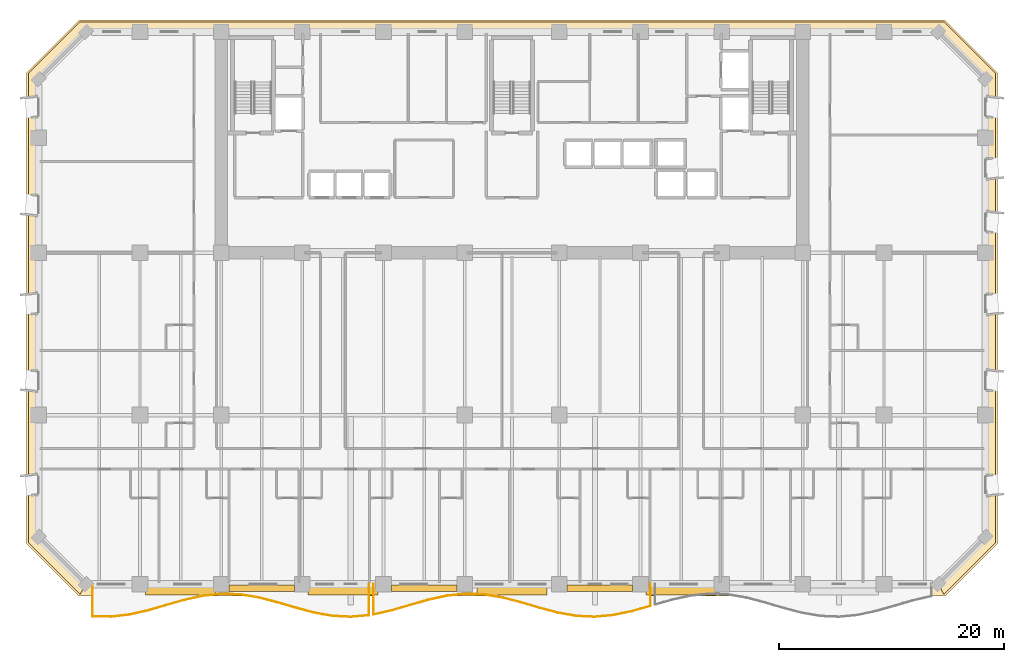
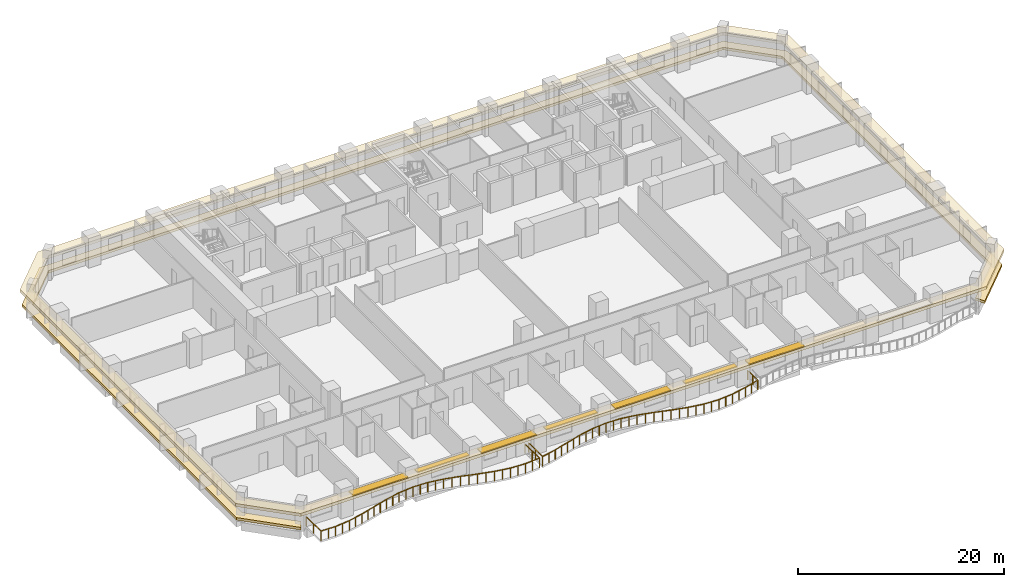
# One storey, part 12 of 15: 7 shading devices, 2 coverings, 2 railings.
"""IFC4 building model written with IfcOpenShell, lengths in metres."""

from ifc_helpers import new_model, si_unit, direction, frame, origin, origin_2d, place, context, subcontext, project, spatial, polyline, rectangle, outline, extrude, material, layer, layer_set, type_object, element, save


model = new_model("IFC4")

# Units and contexts
model_context = context("Model", 3, precision=1e-05, world=origin(), true_north=direction((0.0, 1.0)))
body_context = subcontext(model_context, "Body", "Model", "MODEL_VIEW")
ifc_project = project(units=[si_unit("LENGTHUNIT", "METRE"), si_unit("AREAUNIT", "SQUARE_METRE"), si_unit("VOLUMEUNIT", "CUBIC_METRE"), si_unit("PLANEANGLEUNIT", "RADIAN"), si_unit("MASSUNIT", "GRAM", prefix="KILO")], contexts=[model_context])

# Site, building, storey
site_placement = place(None, origin())
site = spatial("IfcSite", under=ifc_project, at=site_placement, CompositionType="ELEMENT")
building_placement = place(site_placement, origin())
building = spatial("IfcBuilding", under=site, at=building_placement, Name="Kaelvorn Grand Hotel", CompositionType="ELEMENT")
storey_placement = place(building_placement, frame((0.0, 0.0, 38.89990234375)))
storey = spatial("IfcBuildingStorey", under=building, at=storey_placement, Name="L07", CompositionType="ELEMENT", Elevation=38.89990234375)

# Coverings
ifc_material_1 = material(Name="Precast concrete C45/55", Category="concrete")
ifc_layer_1 = layer(ifc_material_1, 0.260009765625)
ifc_layer_set_1 = layer_set([ifc_layer_1], Name="Precast concrete C45/55")
covering_type_1 = type_object("IfcCoveringType", Name="COV-BAND-STREAMLINE-HEAD", PredefinedType="CLADDING", material=ifc_layer_set_1)
covering_1_placement = place(storey_placement, frame((0.0, 0.0, 2.18017578125)))
element("IfcCovering", 1, at=covering_1_placement, inside=storey, type_object=covering_type_1, Name="L07 Streamline Moderne Wraparound Horizontal Eyebrow Band", PredefinedType="CLADDING", context=body_context, shape_type="SweptSolid", body=[
    extrude(outline(polyline([(3.590087890625, -1.050048828125), (80.409912109375, -1.050048828125), (85.050048828125, 3.590087890625), (85.050048828125, 45.409912109375), (80.409912109375, 50.050048828125), (3.590087890625, 50.050048828125), (-1.050048828125, 45.409912109375), (-1.050048828125, 3.590087890625), (3.590087890625, -1.050048828125)]), holes=[polyline([(4.219970703125, 0.030029296875), (79.780029296875, 0.030029296875), (83.969970703125, 4.219970703125), (83.969970703125, 44.780029296875), (79.780029296875, 48.969970703125), (4.219970703125, 48.969970703125), (0.030029296875, 44.780029296875), (0.030029296875, 4.219970703125), (4.219970703125, 0.030029296875)])]), origin(), (0.0, 0.0, 1.0), 0.35986328125),
])
ifc_layer_2 = layer(ifc_material_1, 0.219970703125)
ifc_layer_set_2 = layer_set([ifc_layer_2], Name="Precast concrete C45/55")
covering_type_2 = type_object("IfcCoveringType", Name="COV-BAND-STREAMLINE-SILL", PredefinedType="CLADDING", material=ifc_layer_set_2)
covering_2_placement = place(storey_placement, frame((0.0, 0.0, 0.4501953125)))
element("IfcCovering", 2, at=covering_2_placement, inside=storey, type_object=covering_type_2, Name="L07 Streamline Moderne Wraparound Horizontal Sill Spandrel Band", PredefinedType="CLADDING", context=body_context, shape_type="SweptSolid", body=[
    extrude(outline(polyline([(80.3154296875, -0.8798828125), (84.8798828125, 3.6845703125), (84.8798828125, 45.3154296875), (80.3154296875, 49.8798828125), (3.6845703125, 49.8798828125), (-0.8798828125, 45.3154296875), (-0.8798828125, 3.6845703125), (3.6845703125, -0.8798828125), (4.217529296875, 0.030029296875), (0.030029296875, 4.217529296875), (0.030029296875, 44.782470703125), (4.217529296875, 48.969970703125), (79.782470703125, 48.969970703125), (83.969970703125, 44.782470703125), (83.969970703125, 4.217529296875), (79.782470703125, 0.030029296875), (80.3154296875, -0.8798828125)])), origin(), (0.0, 0.0, 1.0), 0.2998046875),
])

# Railings
ifc_material_2 = material(Name="Stainless Steel", Category="steel")
railing_type = type_object("IfcRailingType", Name="RL-BALC-1150", PredefinedType="BALUSTRADE", material=ifc_material_2)
railing_1_placement = place(storey_placement, frame((4.800048828125, 0.0, 0.0)))
element("IfcRailing", 3, at=railing_1_placement, inside=storey, type_object=railing_type, Name="L07 Scalloped Wave Balcony Balustrade GR1-1", PredefinedType="BALUSTRADE", context=body_context, shape_type="SweptSolid", body=[
    extrude(rectangle(XDim=0.048095703125, YDim=0.048095703125, at=origin_2d()), frame((0.0, 0.0, 1.1259765625), z_axis=(0.0, -1.0, 0.0), x_axis=(1.0, 0.0, 0.0)), (0.0, 0.0, 1.0), 2.849853515625),
    extrude(rectangle(XDim=0.048095703125, YDim=0.048095703125, at=origin_2d()), frame((0.0, -2.849853515625, 1.1259765625), z_axis=(0.999746055688, -0.022534953636, 0.0), x_axis=(0.022534953636, 0.999746055688, 0.0)), (0.0, 0.0, 1.0), 1.635986328125),
    extrude(rectangle(XDim=0.048095703125, YDim=0.048095703125, at=origin_2d()), frame((1.635498046875, -2.88671875, 1.1259765625), z_axis=(0.993458851833, 0.114190672624, 0.0), x_axis=(-0.114190672624, 0.993458851833, 0.0)), (0.0, 0.0, 1.0), 1.646240234375),
    extrude(rectangle(XDim=0.048095703125, YDim=0.048095703125, at=origin_2d()), frame((3.27099609375, -2.69873046875, 1.1259765625), z_axis=(0.975249967804, 0.221105179268, 0.0), x_axis=(-0.221105179268, 0.975249967804, 0.0)), (0.0, 0.0, 1.0), 1.67724609375),
    extrude(rectangle(XDim=0.048095703125, YDim=0.048095703125, at=origin_2d()), frame((4.90673828125, -2.327880859375, 1.1259765625), z_axis=(0.960877196389, 0.276974752385, 0.0), x_axis=(-0.276974752385, 0.960877196389, 0.0)), (0.0, 0.0, 1.0), 1.7021484375),
    extrude(rectangle(XDim=0.048095703125, YDim=0.048095703125, at=origin_2d()), frame((6.542236328125, -1.8564453125, 1.1259765625), z_axis=(0.961523947641, 0.274721127897, 0.0), x_axis=(-0.274721127897, 0.961523947641, 0.0)), (0.0, 0.0, 1.0), 1.700927734375),
    extrude(rectangle(XDim=0.048095703125, YDim=0.048095703125, at=origin_2d()), frame((8.177734375, -1.38916015625, 1.1259765625), z_axis=(0.976698893924, 0.21461423673, 0.0), x_axis=(-0.21461423673, 0.976698893924, 0.0)), (0.0, 0.0, 1.0), 1.674560546875),
    extrude(rectangle(XDim=0.048095703125, YDim=0.048095703125, at=origin_2d()), frame((9.813232421875, -1.02978515625, 1.1259765625), z_axis=(0.994538755279, 0.104367927297, 0.0), x_axis=(-0.104367927297, 0.994538755279, 0.0)), (0.0, 0.0, 1.0), 1.64453125),
    extrude(rectangle(XDim=0.048095703125, YDim=0.048095703125, at=origin_2d()), frame((11.44873046875, -0.858154296875, 1.1259765625), z_axis=(0.999451509735, -0.033116154502, 0.0), x_axis=(0.033116154502, 0.999451509735, 0.0)), (0.0, 0.0, 1.0), 1.63671875),
    extrude(rectangle(XDim=0.048095703125, YDim=0.048095703125, at=origin_2d()), frame((13.08447265625, -0.912353515625, 1.1259765625), z_axis=(0.986832291042, -0.161746806324, 0.0), x_axis=(0.161746806324, 0.986832291042, 0.0)), (0.0, 0.0, 1.0), 1.6572265625),
    extrude(rectangle(XDim=0.048095703125, YDim=0.048095703125, at=origin_2d()), frame((14.719970703125, -1.180419921875, 1.1259765625), z_axis=(0.96823444274, -0.25004412389, 0.0), x_axis=(0.25004412389, 0.96823444274, 0.0)), (0.0, 0.0, 1.0), 1.689208984375),
    extrude(rectangle(XDim=0.048095703125, YDim=0.048095703125, at=origin_2d()), frame((16.35546875, -1.602783203125, 1.1259765625), z_axis=(0.959105197492, -0.283049854522, 0.0), x_axis=(0.283049854522, 0.959105197492, 0.0)), (0.0, 0.0, 1.0), 1.705322265625),
    extrude(rectangle(XDim=0.048095703125, YDim=0.048095703125, at=origin_2d()), frame((17.990966796875, -2.08544921875, 1.1259765625), z_axis=(0.966258871987, -0.257572887368, 0.0), x_axis=(0.257572887368, 0.966258871987, 0.0)), (0.0, 0.0, 1.0), 1.69287109375),
    extrude(rectangle(XDim=0.048095703125, YDim=0.048095703125, at=origin_2d()), frame((19.626708984375, -2.521484375, 1.1259765625), z_axis=(0.984383042767, -0.176039839563, 0.0), x_axis=(0.176039839563, 0.984383042767, 0.0)), (0.0, 0.0, 1.0), 1.661376953125),
    extrude(rectangle(XDim=0.048095703125, YDim=0.048095703125, at=origin_2d()), frame((21.26220703125, -2.81396484375, 1.1259765625), z_axis=(0.998684141863, -0.05128337734, 0.0), x_axis=(0.05128337734, 0.998684141863, 0.0)), (0.0, 0.0, 1.0), 1.6376953125),
    extrude(rectangle(XDim=0.048095703125, YDim=0.048095703125, at=origin_2d()), frame((22.897705078125, -2.89794921875, 1.1259765625), z_axis=(0.996182895251, 0.087290544785, 0.0), x_axis=(-0.087290544785, 0.996182895251, 0.0)), (0.0, 0.0, 1.0), 1.641845703125),
    extrude(rectangle(XDim=0.048095703125, YDim=0.048095703125, at=origin_2d()), frame((24.533203125, -2.754638671875, 1.1259765625), z_axis=(0.0, 1.0, 0.0), x_axis=(-1.0, 0.0, 0.0)), (0.0, 0.0, 1.0), 2.754638671875),
    extrude(rectangle(XDim=0.0419921875, YDim=0.0419921875, at=origin_2d()), origin(), (0.0, 0.0, 1.0), 1.101806640625),
    extrude(rectangle(XDim=0.0419921875, YDim=0.0419921875, at=origin_2d()), frame((0.0, -1.4248046875, 0.0)), (0.0, 0.0, 1.0), 1.101806640625),
    extrude(rectangle(XDim=0.0419921875, YDim=0.0419921875, at=origin_2d()), frame((0.0, -2.849853515625, 0.0)), (0.0, 0.0, 1.0), 1.101806640625),
    extrude(rectangle(XDim=0.0419921875, YDim=0.0419921875, at=origin_2d()), frame((0.81787109375, -2.8681640625, 0.0)), (0.0, 0.0, 1.0), 1.101806640625),
    extrude(rectangle(XDim=0.0419921875, YDim=0.0419921875, at=origin_2d()), frame((1.635498046875, -2.88671875, 0.0)), (0.0, 0.0, 1.0), 1.101806640625),
    extrude(rectangle(XDim=0.0419921875, YDim=0.0419921875, at=origin_2d()), frame((2.453125, -2.792724609375, 0.0)), (0.0, 0.0, 1.0), 1.101806640625),
    extrude(rectangle(XDim=0.0419921875, YDim=0.0419921875, at=origin_2d()), frame((3.27099609375, -2.69873046875, 0.0)), (0.0, 0.0, 1.0), 1.101806640625),
    extrude(rectangle(XDim=0.0419921875, YDim=0.0419921875, at=origin_2d()), frame((4.0888671875, -2.51318359375, 0.0)), (0.0, 0.0, 1.0), 1.101806640625),
    extrude(rectangle(XDim=0.0419921875, YDim=0.0419921875, at=origin_2d()), frame((4.90673828125, -2.327880859375, 0.0)), (0.0, 0.0, 1.0), 1.101806640625),
    extrude(rectangle(XDim=0.0419921875, YDim=0.0419921875, at=origin_2d()), frame((5.724609375, -2.09228515625, 0.0)), (0.0, 0.0, 1.0), 1.101806640625),
    extrude(rectangle(XDim=0.0419921875, YDim=0.0419921875, at=origin_2d()), frame((6.542236328125, -1.8564453125, 0.0)), (0.0, 0.0, 1.0), 1.101806640625),
    extrude(rectangle(XDim=0.0419921875, YDim=0.0419921875, at=origin_2d()), frame((7.35986328125, -1.622802734375, 0.0)), (0.0, 0.0, 1.0), 1.101806640625),
    extrude(rectangle(XDim=0.0419921875, YDim=0.0419921875, at=origin_2d()), frame((8.177734375, -1.38916015625, 0.0)), (0.0, 0.0, 1.0), 1.101806640625),
    extrude(rectangle(XDim=0.0419921875, YDim=0.0419921875, at=origin_2d()), frame((8.99560546875, -1.20947265625, 0.0)), (0.0, 0.0, 1.0), 1.101806640625),
    extrude(rectangle(XDim=0.0419921875, YDim=0.0419921875, at=origin_2d()), frame((9.813232421875, -1.02978515625, 0.0)), (0.0, 0.0, 1.0), 1.101806640625),
    extrude(rectangle(XDim=0.0419921875, YDim=0.0419921875, at=origin_2d()), frame((10.630859375, -0.94384765625, 0.0)), (0.0, 0.0, 1.0), 1.101806640625),
    extrude(rectangle(XDim=0.0419921875, YDim=0.0419921875, at=origin_2d()), frame((11.44873046875, -0.858154296875, 0.0)), (0.0, 0.0, 1.0), 1.101806640625),
    extrude(rectangle(XDim=0.0419921875, YDim=0.0419921875, at=origin_2d()), frame((12.2666015625, -0.88525390625, 0.0)), (0.0, 0.0, 1.0), 1.101806640625),
    extrude(rectangle(XDim=0.0419921875, YDim=0.0419921875, at=origin_2d()), frame((13.08447265625, -0.912353515625, 0.0)), (0.0, 0.0, 1.0), 1.101806640625),
    extrude(rectangle(XDim=0.0419921875, YDim=0.0419921875, at=origin_2d()), frame((13.90234375, -1.04638671875, 0.0)), (0.0, 0.0, 1.0), 1.101806640625),
    extrude(rectangle(XDim=0.0419921875, YDim=0.0419921875, at=origin_2d()), frame((14.719970703125, -1.180419921875, 0.0)), (0.0, 0.0, 1.0), 1.101806640625),
    extrude(rectangle(XDim=0.0419921875, YDim=0.0419921875, at=origin_2d()), frame((15.53759765625, -1.3916015625, 0.0)), (0.0, 0.0, 1.0), 1.101806640625),
    extrude(rectangle(XDim=0.0419921875, YDim=0.0419921875, at=origin_2d()), frame((16.35546875, -1.602783203125, 0.0)), (0.0, 0.0, 1.0), 1.101806640625),
    extrude(rectangle(XDim=0.0419921875, YDim=0.0419921875, at=origin_2d()), frame((17.17333984375, -1.84423828125, 0.0)), (0.0, 0.0, 1.0), 1.101806640625),
    extrude(rectangle(XDim=0.0419921875, YDim=0.0419921875, at=origin_2d()), frame((17.990966796875, -2.08544921875, 0.0)), (0.0, 0.0, 1.0), 1.101806640625),
    extrude(rectangle(XDim=0.0419921875, YDim=0.0419921875, at=origin_2d()), frame((18.808837890625, -2.303466796875, 0.0)), (0.0, 0.0, 1.0), 1.101806640625),
    extrude(rectangle(XDim=0.0419921875, YDim=0.0419921875, at=origin_2d()), frame((19.626708984375, -2.521484375, 0.0)), (0.0, 0.0, 1.0), 1.101806640625),
    extrude(rectangle(XDim=0.0419921875, YDim=0.0419921875, at=origin_2d()), frame((20.4443359375, -2.667724609375, 0.0)), (0.0, 0.0, 1.0), 1.101806640625),
    extrude(rectangle(XDim=0.0419921875, YDim=0.0419921875, at=origin_2d()), frame((21.26220703125, -2.81396484375, 0.0)), (0.0, 0.0, 1.0), 1.101806640625),
    extrude(rectangle(XDim=0.0419921875, YDim=0.0419921875, at=origin_2d()), frame((22.080078125, -2.85595703125, 0.0)), (0.0, 0.0, 1.0), 1.101806640625),
    extrude(rectangle(XDim=0.0419921875, YDim=0.0419921875, at=origin_2d()), frame((22.897705078125, -2.89794921875, 0.0)), (0.0, 0.0, 1.0), 1.101806640625),
    extrude(rectangle(XDim=0.0419921875, YDim=0.0419921875, at=origin_2d()), frame((23.71533203125, -2.826171875, 0.0)), (0.0, 0.0, 1.0), 1.101806640625),
    extrude(rectangle(XDim=0.0419921875, YDim=0.0419921875, at=origin_2d()), frame((24.533203125, -2.754638671875, 0.0)), (0.0, 0.0, 1.0), 1.101806640625),
    extrude(rectangle(XDim=0.0419921875, YDim=0.0419921875, at=origin_2d()), frame((24.533203125, -1.37744140625, 0.0)), (0.0, 0.0, 1.0), 1.101806640625),
    extrude(rectangle(XDim=0.0419921875, YDim=0.0419921875, at=origin_2d()), frame((24.533203125, 0.0, 0.0)), (0.0, 0.0, 1.0), 1.101806640625),
])
railing_2_placement = place(storey_placement, frame((29.7333984375, 0.0, 0.0)))
element("IfcRailing", 4, at=railing_2_placement, inside=storey, type_object=railing_type, Name="L07 Scalloped Wave Balcony Balustrade GR1-2", PredefinedType="BALUSTRADE", context=body_context, shape_type="SweptSolid", body=[
    extrude(rectangle(XDim=0.048095703125, YDim=0.048095703125, at=origin_2d()), frame((0.0, 0.0, 1.1259765625), z_axis=(0.0, -1.0, 0.0), x_axis=(1.0, 0.0, 0.0)), (0.0, 0.0, 1.0), 2.6875),
    extrude(rectangle(XDim=0.048095703125, YDim=0.048095703125, at=origin_2d()), frame((0.0, -2.6875, 1.1259765625), z_axis=(0.974547877033, 0.22417947134, 0.0), x_axis=(-0.22417947134, 0.974547877033, 0.0)), (0.0, 0.0, 1.0), 1.67822265625),
    extrude(rectangle(XDim=0.048095703125, YDim=0.048095703125, at=origin_2d()), frame((1.635498046875, -2.311279296875, 1.1259765625), z_axis=(0.960571319089, 0.278033704689, 0.0), x_axis=(-0.278033704689, 0.960571319089, 0.0)), (0.0, 0.0, 1.0), 1.70263671875),
    extrude(rectangle(XDim=0.048095703125, YDim=0.048095703125, at=origin_2d()), frame((3.27099609375, -1.837890625, 1.1259765625), z_axis=(0.96186455439, 0.273526194374, 0.0), x_axis=(-0.273526194374, 0.96186455439, 0.0)), (0.0, 0.0, 1.0), 1.700439453125),
    extrude(rectangle(XDim=0.048095703125, YDim=0.048095703125, at=origin_2d()), frame((4.906494140625, -1.372802734375, 1.1259765625), z_axis=(0.977433707694, 0.211242389364, 0.0), x_axis=(-0.211242389364, 0.977433707694, 0.0)), (0.0, 0.0, 1.0), 1.673583984375),
    extrude(rectangle(XDim=0.048095703125, YDim=0.048095703125, at=origin_2d()), frame((6.542236328125, -1.019287109375, 1.1259765625), z_axis=(0.995050417391, 0.099371358297, 0.0), x_axis=(-0.099371358297, 0.995050417391, 0.0)), (0.0, 0.0, 1.0), 1.6435546875),
    extrude(rectangle(XDim=0.048095703125, YDim=0.048095703125, at=origin_2d()), frame((8.177734375, -0.85595703125, 1.1259765625), z_axis=(0.999264915568, -0.038335734184, 0.0), x_axis=(0.038335734184, 0.999264915568, 0.0)), (0.0, 0.0, 1.0), 1.63671875),
    extrude(rectangle(XDim=0.048095703125, YDim=0.048095703125, at=origin_2d()), frame((9.813232421875, -0.918701171875, 1.1259765625), z_axis=(0.986118033534, -0.166045848907, 0.0), x_axis=(0.166045848907, 0.986118033534, 0.0)), (0.0, 0.0, 1.0), 1.658447265625),
    extrude(rectangle(XDim=0.048095703125, YDim=0.048095703125, at=origin_2d()), frame((11.44873046875, -1.194091796875, 1.1259765625), z_axis=(0.967646406536, -0.252310189883, 0.0), x_axis=(0.252310189883, 0.967646406536, 0.0)), (0.0, 0.0, 1.0), 1.6904296875),
    extrude(rectangle(XDim=0.048095703125, YDim=0.048095703125, at=origin_2d()), frame((13.08447265625, -1.62060546875, 1.1259765625), z_axis=(0.959027432838, -0.2833132243, 0.0), x_axis=(0.2833132243, 0.959027432838, 0.0)), (0.0, 0.0, 1.0), 1.705322265625),
    extrude(rectangle(XDim=0.048095703125, YDim=0.048095703125, at=origin_2d()), frame((14.719970703125, -2.103759765625, 1.1259765625), z_axis=(0.966821682926, -0.255452213581, 0.0), x_axis=(0.255452213581, 0.966821682926, 0.0)), (0.0, 0.0, 1.0), 1.691650390625),
    extrude(rectangle(XDim=0.048095703125, YDim=0.048095703125, at=origin_2d()), frame((16.35546875, -2.535888671875, 1.1259765625), z_axis=(0.985113377214, -0.171905887142, 0.0), x_axis=(0.171905887142, 0.985113377214, 0.0)), (0.0, 0.0, 1.0), 1.66015625),
    extrude(rectangle(XDim=0.048095703125, YDim=0.048095703125, at=origin_2d()), frame((17.990966796875, -2.8212890625, 1.1259765625), z_axis=(0.998945044437, -0.045921652789, 0.0), x_axis=(0.045921652789, 0.998945044437, 0.0)), (0.0, 0.0, 1.0), 1.637451171875),
    extrude(rectangle(XDim=0.048095703125, YDim=0.048095703125, at=origin_2d()), frame((19.626708984375, -2.896484375, 1.1259765625), z_axis=(0.995730813029, 0.092304647692, 0.0), x_axis=(-0.092304647692, 0.995730813029, 0.0)), (0.0, 0.0, 1.0), 1.642578125),
    extrude(rectangle(XDim=0.048095703125, YDim=0.048095703125, at=origin_2d()), frame((21.26220703125, -2.744873046875, 1.1259765625), z_axis=(0.978500163728, 0.206246041377, 0.0), x_axis=(-0.206246041377, 0.978500163728, 0.0)), (0.0, 0.0, 1.0), 1.67138671875),
    extrude(rectangle(XDim=0.048095703125, YDim=0.048095703125, at=origin_2d()), frame((22.897705078125, -2.400146484375, 1.1259765625), z_axis=(0.962391909426, 0.27166489039, 0.0), x_axis=(-0.27166489039, 0.962391909426, 0.0)), (0.0, 0.0, 1.0), 1.699462890625),
    extrude(rectangle(XDim=0.048095703125, YDim=0.048095703125, at=origin_2d()), frame((24.533203125, -1.9384765625, 1.1259765625), z_axis=(0.0, 1.0, 0.0), x_axis=(-1.0, 0.0, 0.0)), (0.0, 0.0, 1.0), 1.9384765625),
    extrude(rectangle(XDim=0.0419921875, YDim=0.0419921875, at=origin_2d()), origin(), (0.0, 0.0, 1.0), 1.101806640625),
    extrude(rectangle(XDim=0.0419921875, YDim=0.0419921875, at=origin_2d()), frame((0.0, -1.34375, 0.0)), (0.0, 0.0, 1.0), 1.101806640625),
    extrude(rectangle(XDim=0.0419921875, YDim=0.0419921875, at=origin_2d()), frame((0.0, -2.6875, 0.0)), (0.0, 0.0, 1.0), 1.101806640625),
    extrude(rectangle(XDim=0.0419921875, YDim=0.0419921875, at=origin_2d()), frame((0.81787109375, -2.49951171875, 0.0)), (0.0, 0.0, 1.0), 1.101806640625),
    extrude(rectangle(XDim=0.0419921875, YDim=0.0419921875, at=origin_2d()), frame((1.635498046875, -2.311279296875, 0.0)), (0.0, 0.0, 1.0), 1.101806640625),
    extrude(rectangle(XDim=0.0419921875, YDim=0.0419921875, at=origin_2d()), frame((2.453125, -2.07470703125, 0.0)), (0.0, 0.0, 1.0), 1.101806640625),
    extrude(rectangle(XDim=0.0419921875, YDim=0.0419921875, at=origin_2d()), frame((3.27099609375, -1.837890625, 0.0)), (0.0, 0.0, 1.0), 1.101806640625),
    extrude(rectangle(XDim=0.0419921875, YDim=0.0419921875, at=origin_2d()), frame((4.0888671875, -1.60546875, 0.0)), (0.0, 0.0, 1.0), 1.101806640625),
    extrude(rectangle(XDim=0.0419921875, YDim=0.0419921875, at=origin_2d()), frame((4.906494140625, -1.372802734375, 0.0)), (0.0, 0.0, 1.0), 1.101806640625),
    extrude(rectangle(XDim=0.0419921875, YDim=0.0419921875, at=origin_2d()), frame((5.724365234375, -1.196044921875, 0.0)), (0.0, 0.0, 1.0), 1.101806640625),
    extrude(rectangle(XDim=0.0419921875, YDim=0.0419921875, at=origin_2d()), frame((6.542236328125, -1.019287109375, 0.0)), (0.0, 0.0, 1.0), 1.101806640625),
    extrude(rectangle(XDim=0.0419921875, YDim=0.0419921875, at=origin_2d()), frame((7.35986328125, -0.9375, 0.0)), (0.0, 0.0, 1.0), 1.101806640625),
    extrude(rectangle(XDim=0.0419921875, YDim=0.0419921875, at=origin_2d()), frame((8.177734375, -0.85595703125, 0.0)), (0.0, 0.0, 1.0), 1.101806640625),
    extrude(rectangle(XDim=0.0419921875, YDim=0.0419921875, at=origin_2d()), frame((8.99560546875, -0.88720703125, 0.0)), (0.0, 0.0, 1.0), 1.101806640625),
    extrude(rectangle(XDim=0.0419921875, YDim=0.0419921875, at=origin_2d()), frame((9.813232421875, -0.918701171875, 0.0)), (0.0, 0.0, 1.0), 1.101806640625),
    extrude(rectangle(XDim=0.0419921875, YDim=0.0419921875, at=origin_2d()), frame((10.630859375, -1.056396484375, 0.0)), (0.0, 0.0, 1.0), 1.101806640625),
    extrude(rectangle(XDim=0.0419921875, YDim=0.0419921875, at=origin_2d()), frame((11.44873046875, -1.194091796875, 0.0)), (0.0, 0.0, 1.0), 1.101806640625),
    extrude(rectangle(XDim=0.0419921875, YDim=0.0419921875, at=origin_2d()), frame((12.2666015625, -1.4072265625, 0.0)), (0.0, 0.0, 1.0), 1.101806640625),
    extrude(rectangle(XDim=0.0419921875, YDim=0.0419921875, at=origin_2d()), frame((13.08447265625, -1.62060546875, 0.0)), (0.0, 0.0, 1.0), 1.101806640625),
    extrude(rectangle(XDim=0.0419921875, YDim=0.0419921875, at=origin_2d()), frame((13.90234375, -1.8623046875, 0.0)), (0.0, 0.0, 1.0), 1.101806640625),
    extrude(rectangle(XDim=0.0419921875, YDim=0.0419921875, at=origin_2d()), frame((14.719970703125, -2.103759765625, 0.0)), (0.0, 0.0, 1.0), 1.101806640625),
    extrude(rectangle(XDim=0.0419921875, YDim=0.0419921875, at=origin_2d()), frame((15.53759765625, -2.31982421875, 0.0)), (0.0, 0.0, 1.0), 1.101806640625),
    extrude(rectangle(XDim=0.0419921875, YDim=0.0419921875, at=origin_2d()), frame((16.35546875, -2.535888671875, 0.0)), (0.0, 0.0, 1.0), 1.101806640625),
    extrude(rectangle(XDim=0.0419921875, YDim=0.0419921875, at=origin_2d()), frame((17.17333984375, -2.6787109375, 0.0)), (0.0, 0.0, 1.0), 1.101806640625),
    extrude(rectangle(XDim=0.0419921875, YDim=0.0419921875, at=origin_2d()), frame((17.990966796875, -2.8212890625, 0.0)), (0.0, 0.0, 1.0), 1.101806640625),
    extrude(rectangle(XDim=0.0419921875, YDim=0.0419921875, at=origin_2d()), frame((18.808837890625, -2.85888671875, 0.0)), (0.0, 0.0, 1.0), 1.101806640625),
    extrude(rectangle(XDim=0.0419921875, YDim=0.0419921875, at=origin_2d()), frame((19.626708984375, -2.896484375, 0.0)), (0.0, 0.0, 1.0), 1.101806640625),
    extrude(rectangle(XDim=0.0419921875, YDim=0.0419921875, at=origin_2d()), frame((20.4443359375, -2.82080078125, 0.0)), (0.0, 0.0, 1.0), 1.101806640625),
    extrude(rectangle(XDim=0.0419921875, YDim=0.0419921875, at=origin_2d()), frame((21.26220703125, -2.744873046875, 0.0)), (0.0, 0.0, 1.0), 1.101806640625),
    extrude(rectangle(XDim=0.0419921875, YDim=0.0419921875, at=origin_2d()), frame((22.080078125, -2.572509765625, 0.0)), (0.0, 0.0, 1.0), 1.101806640625),
    extrude(rectangle(XDim=0.0419921875, YDim=0.0419921875, at=origin_2d()), frame((22.897705078125, -2.400146484375, 0.0)), (0.0, 0.0, 1.0), 1.101806640625),
    extrude(rectangle(XDim=0.0419921875, YDim=0.0419921875, at=origin_2d()), frame((23.71533203125, -2.16943359375, 0.0)), (0.0, 0.0, 1.0), 1.101806640625),
    extrude(rectangle(XDim=0.0419921875, YDim=0.0419921875, at=origin_2d()), frame((24.533203125, -1.9384765625, 0.0)), (0.0, 0.0, 1.0), 1.101806640625),
    extrude(rectangle(XDim=0.0419921875, YDim=0.0419921875, at=origin_2d()), frame((24.533203125, -0.96923828125, 0.0)), (0.0, 0.0, 1.0), 1.101806640625),
    extrude(rectangle(XDim=0.0419921875, YDim=0.0419921875, at=origin_2d()), frame((24.533203125, 0.0, 0.0)), (0.0, 0.0, 1.0), 1.101806640625),
])

# Shading devices
ifc_layer_3 = layer(ifc_material_1, 0.1201171875)
ifc_layer_set_3 = layer_set([ifc_layer_3], Name="Precast concrete C45/55")
shading_device_type_1 = type_object("IfcShadingDeviceType", Name="SHD-SUNSHADE-550", PredefinedType="USERDEFINED", material=ifc_layer_set_3)
for number, where, z_axis, x_axis, name in (
    (5, (19.800048828125, -0.364990234375, 2.419921875), (0.0, 0.0, 1.0), (1.0, 0.0, 0.0), "L07 Horizontal Concrete Sunshade Band SS-03"),
    (6, (34.199951171875, -0.364990234375, 2.419921875), (0.0, 0.0, 1.0), (1.0, 0.0, 0.0), "L07 Horizontal Concrete Sunshade Band SS-05"),
    (7, (49.800048828125, -0.364990234375, 2.419921875), (0.0, 0.0, 1.0), (1.0, 0.0, 0.0), "L07 Horizontal Concrete Sunshade Band SS-07"),
):
    element("IfcShadingDevice", number, at=place(storey_placement, frame(where, z_axis=z_axis, x_axis=x_axis)), inside=storey, type_object=shading_device_type_1, Name=name, ObjectType="SUNSHADE", PredefinedType="USERDEFINED", context=body_context, shape_type="SweptSolid", body=[
        extrude(rectangle(XDim=5.800048828125, YDim=0.550048828125, at=origin_2d()), origin(), (0.0, 0.0, 1.0), 0.1201171875),
    ])
ifc_layer_4 = layer(ifc_material_1, 0.139892578125)
ifc_layer_set_4 = layer_set([ifc_layer_4], Name="Precast concrete C45/55")
shading_device_type_2 = type_object("IfcShadingDeviceType", Name="SHD-SUNSHADE-850", PredefinedType="USERDEFINED", material=ifc_layer_set_4)
for number, where, z_axis, x_axis, name in (
    (8, (12.60009765625, -0.514892578125, 2.41015625), (0.0, 0.0, 1.0), (1.0, 0.0, 0.0), "L07 Horizontal Concrete Sunshade Band SS-02"),
    (9, (27.0, -0.514892578125, 2.41015625), (0.0, 0.0, 1.0), (1.0, 0.0, 0.0), "L07 Horizontal Concrete Sunshade Band SS-04"),
    (10, (42.0, -0.514892578125, 2.41015625), (0.0, 0.0, 1.0), (1.0, 0.0, 0.0), "L07 Horizontal Concrete Sunshade Band SS-06"),
    (11, (57.0, -0.514892578125, 2.41015625), (0.0, 0.0, 1.0), (1.0, 0.0, 0.0), "L07 Horizontal Concrete Sunshade Band SS-08"),
):
    element("IfcShadingDevice", number, at=place(storey_placement, frame(where, z_axis=z_axis, x_axis=x_axis)), inside=storey, type_object=shading_device_type_2, Name=name, ObjectType="SUNSHADE", PredefinedType="USERDEFINED", context=body_context, shape_type="SweptSolid", body=[
        extrude(rectangle(XDim=6.199951171875, YDim=0.85009765625, at=origin_2d()), origin(), (0.0, 0.0, 1.0), 0.139892578125),
    ])

save(model, "model.ifc")
